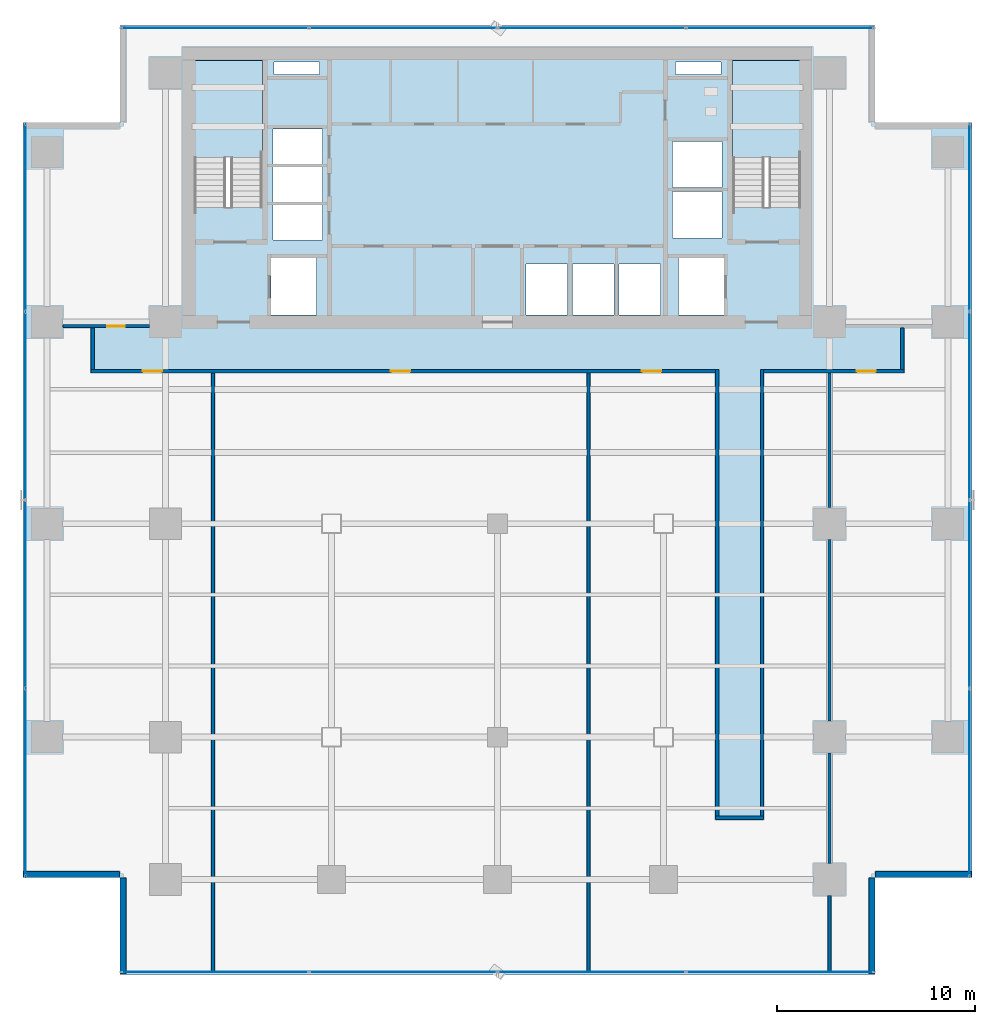
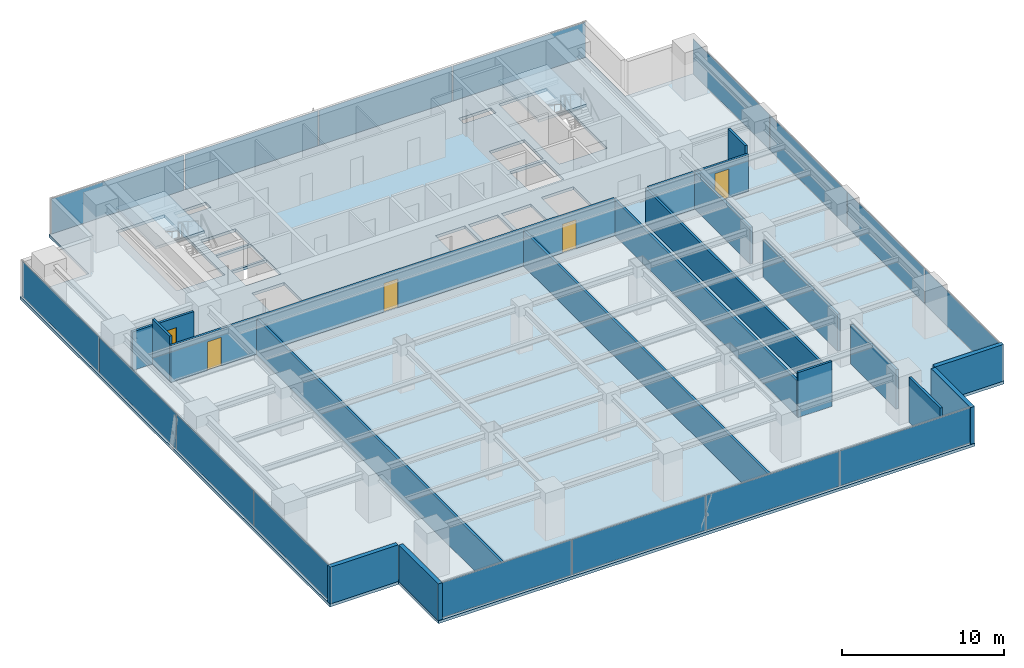
# One storey, part 20 of 27: 18 walls, 16 plates, 5 doors, 3 slabs, 5 openings, 6 elements without a shape of their own.
"""IFC4 building model written with IfcOpenShell, lengths in metres."""

import ifcopenshell
import ifcopenshell.guid

model = None  # the IFC model being written
_history = None  # IfcOwnerHistory: only IFC2X3 demands one
_inside = {}  # id of a spatial element -> (the spatial element, [elements in it])
_under = {}  # id of a project, library or spatial element -> (it, [spatial elements below it])
_declared = {}  # id of a project -> (the project, [libraries it declares])
_typed = {}  # id of a type object -> (the type object, [elements of that type])
_made_of = {}  # id of a material, layer set ... -> (it, [elements and type objects made of it])


def new_model(schema):
    """Start an empty IFC model of exactly this schema.

    Asked for "IFC4X3", IfcOpenShell would pick the latest addendum, in which some entities
    have other attributes; the version numbers below select the first issue.
    IFC2X3 requires an IfcOwnerHistory on every rooted entity: one is made here for all.
    """
    global model, _history
    if schema == "IFC4X3":
        model = ifcopenshell.file(schema_version=(4, 3, 0, 0))
    else:
        model = ifcopenshell.file(schema=schema)
    _inside.clear()
    _under.clear()
    _declared.clear()
    _typed.clear()
    _made_of.clear()
    _history = None
    if model.schema == "IFC2X3":
        org = make("IfcOrganization", Name="unknown")
        user = make(
            "IfcPersonAndOrganization",
            ThePerson=make("IfcPerson", FamilyName="unknown"),
            TheOrganization=org,
        )
        app = make(
            "IfcApplication",
            ApplicationDeveloper=org,
            Version="unknown",
            ApplicationFullName="unknown",
            ApplicationIdentifier="unknown",
        )
        _history = make(
            "IfcOwnerHistory",
            OwningUser=user,
            OwningApplication=app,
            ChangeAction="ADDED",
            CreationDate=0,
        )
    return model


def make(cls, **values):
    """One entity of the class cls with the attributes given. An attribute that is None is left unset."""
    return model.create_entity(
        cls, **{name: value for name, value in values.items() if value is not None}
    )


def rooted(cls, **values):
    """An entity with a GlobalId (a new one), such as an element, a storey or a relation."""
    return make(cls, GlobalId=ifcopenshell.guid.new(), OwnerHistory=_history, **values)


def si_unit(unit_type, name, prefix=None):
    """IfcSIUnit, for example si_unit("LENGTHUNIT", "METRE", prefix="MILLI")."""
    return make("IfcSIUnit", UnitType=unit_type, Prefix=prefix, Name=name)


def assignment(units):
    """IfcUnitAssignment: the units of a project."""
    return None if units is None else make("IfcUnitAssignment", Units=units)


def point(xyz):
    """IfcCartesianPoint."""
    return None if xyz is None else make("IfcCartesianPoint", Coordinates=xyz)


def direction(xyz):
    """IfcDirection."""
    return None if xyz is None else make("IfcDirection", DirectionRatios=xyz)


def frame(location, z_axis=None, x_axis=None):
    """IfcAxis2Placement3D, a coordinate frame: its origin and axes. An axis left out is left unset."""
    return make(
        "IfcAxis2Placement3D",
        Location=point(location),
        Axis=direction(z_axis),
        RefDirection=direction(x_axis),
    )


def frame_2d(location, x_axis=None):
    """IfcAxis2Placement2D, a coordinate frame in the plane: its origin and x axis."""
    return make(
        "IfcAxis2Placement2D", Location=point(location), RefDirection=direction(x_axis)
    )


def origin():
    """The frame at (0, 0, 0) with its axes left unset."""
    return frame((0.0, 0.0, 0.0))


def origin_2d():
    """The frame at (0, 0) in the plane with its x axis left unset."""
    return frame_2d((0.0, 0.0))


def place(relative_to, where):
    """IfcLocalPlacement: puts the frame where relative to a parent placement (None: the world)."""
    return make(
        "IfcLocalPlacement", PlacementRelTo=relative_to, RelativePlacement=where
    )


def context(
    kind, dimensions, precision=None, world=None, true_north=None, identifier=None
):
    """IfcGeometricRepresentationContext, for example the 3D "Model" context."""
    return make(
        "IfcGeometricRepresentationContext",
        ContextIdentifier=identifier,
        ContextType=kind,
        CoordinateSpaceDimension=dimensions,
        Precision=precision,
        WorldCoordinateSystem=world,
        TrueNorth=true_north,
    )


def subcontext(parent, identifier, kind, view, scale=None):
    """IfcGeometricRepresentationSubContext, for example "Body" below "Model"."""
    return make(
        "IfcGeometricRepresentationSubContext",
        ContextIdentifier=identifier,
        ContextType=kind,
        ParentContext=parent,
        TargetScale=scale,
        TargetView=view,
    )


def project(units=None, contexts=None):
    """IfcProject with its units and contexts."""
    return rooted(
        "IfcProject",
        Name="project",
        RepresentationContexts=contexts,
        UnitsInContext=assignment(units),
    )


def spatial(cls, under=None, at=None, **own):
    """A site, building, storey or space (cls), placed at a placement, below another one or the project."""
    s = rooted(cls, ObjectPlacement=at, **own)
    if under is not None:
        _under.setdefault(under.id(), (under, []))[1].append(s)
    return s


def polyline(points):
    """IfcPolyline through the points."""
    return make("IfcPolyline", Points=[point(p) for p in points])


def profile(cls, at=None, kind="AREA", **sizes):
    """A parametric profile (cls). Its sizes go by their IFC names, for example OverallWidth=200.0."""
    return make(cls, ProfileType=kind, Position=at, **sizes)


def rectangle(**sizes):
    """IfcRectangleProfileDef."""
    return profile("IfcRectangleProfileDef", **sizes)


def outline(outer, holes=None, kind="AREA"):
    """IfcArbitraryClosedProfileDef: a profile drawn as a closed curve; with holes, ...WithVoids."""
    if holes is None:
        return make("IfcArbitraryClosedProfileDef", ProfileType=kind, OuterCurve=outer)
    return make(
        "IfcArbitraryProfileDefWithVoids",
        ProfileType=kind,
        OuterCurve=outer,
        InnerCurves=holes,
    )


def extrude(swept, where, along, depth):
    """IfcExtrudedAreaSolid: the profile swept, set in the frame where, extruded along a direction by depth."""
    return make(
        "IfcExtrudedAreaSolid",
        SweptArea=swept,
        Position=where,
        ExtrudedDirection=direction(along),
        Depth=depth,
    )


def shape(context_of_items, identifier, shape_type, items):
    """IfcShapeRepresentation: the items that make up one representation, for example the "Body"."""
    return make(
        "IfcShapeRepresentation",
        ContextOfItems=context_of_items,
        RepresentationIdentifier=identifier,
        RepresentationType=shape_type,
        Items=items,
    )


def source(mapping_origin, context_of_items, identifier, shape_type, items):
    """IfcRepresentationMap: a shape defined once, which mapped items show again and again."""
    return make(
        "IfcRepresentationMap",
        MappingOrigin=mapping_origin,
        MappedRepresentation=shape(context_of_items, identifier, shape_type, items),
    )


def transform(
    local_origin,
    x_axis=None,
    y_axis=None,
    z_axis=None,
    scale=None,
    scale2=None,
    scale3=None,
    uniform=True,
):
    """IfcCartesianTransformationOperator3D, or its non-uniform kind. x_axis, y_axis, z_axis: its Axis1, 2, 3."""
    if uniform:
        return make(
            "IfcCartesianTransformationOperator3D",
            Axis1=direction(x_axis),
            Axis2=direction(y_axis),
            LocalOrigin=point(local_origin),
            Scale=scale,
            Axis3=direction(z_axis),
        )
    return make(
        "IfcCartesianTransformationOperator3DnonUniform",
        Axis1=direction(x_axis),
        Axis2=direction(y_axis),
        LocalOrigin=point(local_origin),
        Scale=scale,
        Axis3=direction(z_axis),
        Scale2=scale2,
        Scale3=scale3,
    )


def mapped(mapping_source, mapping_target):
    """IfcMappedItem: shows the shape of a source again, moved by a transform."""
    return make(
        "IfcMappedItem", MappingSource=mapping_source, MappingTarget=mapping_target
    )


def material(Name=None, Category=None):
    """IfcMaterial."""
    return make("IfcMaterial", Name=Name, Category=Category)


def layer(
    of_material, thickness, ventilated=None, Name=None, Category=None, Priority=None
):
    """IfcMaterialLayer: one layer of a wall or slab, of a material (None: an air gap)."""
    return make(
        "IfcMaterialLayer",
        Material=of_material,
        LayerThickness=thickness,
        IsVentilated=ventilated,
        Name=Name,
        Category=Category,
        Priority=Priority,
    )


def layer_set(layers, Name=None):
    """IfcMaterialLayerSet."""
    return make("IfcMaterialLayerSet", MaterialLayers=layers, LayerSetName=Name)


def made_of(thing, what):
    """Note that an element or type object is made of a material, layer set ...; save() writes the relation."""
    if what is not None:
        _made_of.setdefault(what.id(), (what, []))[1].append(thing)
    return thing


def type_object(cls, material=None, **own):
    """A type object (cls), such as IfcWallType, which elements share."""
    return made_of(rooted(cls, **own), material)


def element(
    cls,
    number,
    at=None,
    inside=None,
    cuts=None,
    type_object=None,
    material=None,
    context=None,
    identifier="Body",
    shape_type=None,
    held_by="IfcProductDefinitionShape",
    body=None,
    shapes=None,
    **own,
):
    """One element of the class cls, such as IfcWall. Its Tag is "e" and its number.

    at: its placement. inside: the storey or other place that contains it. cuts: it is an
    opening in that element (IfcRelVoidsElement). A single representation is given by context,
    identifier, shape_type and body (its items); several are given by shapes. held_by: the class
    of the entity that holds the representations. save() writes the other relations.
    """
    e = rooted(cls, Tag="e%d" % number, ObjectPlacement=at, **own)
    if body is not None:
        shapes = [shape(context, identifier, shape_type, body)]
    if shapes is not None:
        e.Representation = make(held_by, Representations=shapes)
    if inside is not None:
        _inside.setdefault(inside.id(), (inside, []))[1].append(e)
    if cuts is not None:
        rooted(
            "IfcRelVoidsElement", RelatingBuildingElement=cuts, RelatedOpeningElement=e
        )
    if type_object is not None:
        _typed.setdefault(type_object.id(), (type_object, []))[1].append(e)
    return made_of(e, material)


def fill(opening, filler):
    """IfcRelFillsElement: the door or window that sits in an opening."""
    return rooted(
        "IfcRelFillsElement",
        RelatingOpeningElement=opening,
        RelatedBuildingElement=filler,
    )


def aggregate(whole, parts):
    """IfcRelAggregates: a whole, such as a stair, and the parts it consists of."""
    return rooted("IfcRelAggregates", RelatingObject=whole, RelatedObjects=parts)


def save(model, path):
    """Write the relations noted so far, then the file.

    IfcRelAggregates (storeys below a building ...), IfcRelContainedInSpatialStructure (elements
    in a storey), IfcRelDefinesByType, IfcRelAssociatesMaterial and IfcRelDeclares: one each for
    every whole, place, type object, material and project.
    """
    for whole, parts in _under.values():
        aggregate(whole, parts)
    for where, things in _inside.values():
        rooted(
            "IfcRelContainedInSpatialStructure",
            RelatedElements=things,
            RelatingStructure=where,
        )
    for kind, things in _typed.values():
        rooted("IfcRelDefinesByType", RelatedObjects=things, RelatingType=kind)
    for what, things in _made_of.values():
        rooted("IfcRelAssociatesMaterial", RelatedObjects=things, RelatingMaterial=what)
    for by, libraries in _declared.values():
        rooted("IfcRelDeclares", RelatingContext=by, RelatedDefinitions=libraries)
    model.write(path)


model = new_model("IFC4")

# Units and contexts
model_context = context("Model", 3, precision=1e-05, world=origin(), true_north=direction((0.0, 1.0)))
body_context = subcontext(model_context, "Body", "Model", "MODEL_VIEW")
ifc_project = project(units=[si_unit("LENGTHUNIT", "METRE"), si_unit("AREAUNIT", "SQUARE_METRE"), si_unit("VOLUMEUNIT", "CUBIC_METRE"), si_unit("PLANEANGLEUNIT", "RADIAN"), si_unit("MASSUNIT", "GRAM", prefix="KILO")], contexts=[model_context])

# Site, building, storey
site_placement = place(None, origin())
site = spatial("IfcSite", under=ifc_project, at=site_placement, CompositionType="ELEMENT")
building_placement = place(site_placement, origin())
building = spatial("IfcBuilding", under=site, at=building_placement, Name="Sumidabori Civic Tower", CompositionType="ELEMENT")
storey_placement = place(building_placement, frame((0.0, 0.0, 164.0)))
storey = spatial("IfcBuildingStorey", under=building, at=storey_placement, Name="L42", CompositionType="ELEMENT", Elevation=164.0)

# Stair, slab
ifc_material_1 = material(Name="Concrete C40/50", Category="concrete")
stair_type = type_object("IfcStairType", Name="ST-CORE-1600", PredefinedType="HALF_TURN_STAIR", material=ifc_material_1)
stair_1_placement = place(storey_placement, origin())
stair_1 = element("IfcStair", 1, at=stair_1_placement, inside=storey, type_object=stair_type, Name="L42 ST-1", PredefinedType="HALF_TURN_STAIR")
ifc_layer_1 = layer(ifc_material_1, 0.199951171875, Name="Concrete C40/50")
ifc_layer_set_1 = layer_set([ifc_layer_1], Name="Concrete C40/50")
slab_type_1 = type_object("IfcSlabType", Name="SL-LAND-200", PredefinedType="LANDING", material=ifc_layer_set_1)
slab_1_placement = place(storey_placement, frame((0.0, 0.0, 1.60009765625)))
slab_1 = element("IfcSlab", 2, at=slab_1_placement, type_object=slab_type_1, Name="ST-1 landing 1", PredefinedType="LANDING", context=body_context, shape_type="SweptSolid", body=[
    extrude(outline(polyline([(-11.89990234375, 18.52001953125), (-11.89990234375, 23.449951171875), (-15.340087890625, 23.449951171875), (-15.340087890625, 18.52001953125), (-11.89990234375, 18.52001953125)])), origin(), (0.0, 0.0, 1.0), 0.199951171875),
])
aggregate(stair_1, [slab_1])

stair_2_placement = place(storey_placement, origin())
stair_2 = element("IfcStair", 3, at=stair_2_placement, inside=storey, type_object=stair_type, Name="L42 ST-2", PredefinedType="HALF_TURN_STAIR")
slab_2_placement = place(storey_placement, frame((0.0, 0.0, 1.60009765625)))
slab_2 = element("IfcSlab", 4, at=slab_2_placement, type_object=slab_type_1, Name="ST-2 landing 1", PredefinedType="LANDING", context=body_context, shape_type="SweptSolid", body=[
    extrude(outline(polyline([(15.340087890625, 18.52001953125), (15.340087890625, 23.449951171875), (11.89990234375, 23.449951171875), (11.89990234375, 18.52001953125), (15.340087890625, 18.52001953125)])), origin(), (0.0, 0.0, 1.0), 0.199951171875),
])
aggregate(stair_2, [slab_2])

# Slab
ifc_layer_2 = layer(ifc_material_1, 0.219970703125, Name="Concrete C40/50")
ifc_layer_set_2 = layer_set([ifc_layer_2], Name="Concrete C40/50")
slab_type_2 = type_object("IfcSlabType", Name="SL-Z3-220", PredefinedType="FLOOR", material=ifc_layer_set_2)
slab_3_placement = place(storey_placement, frame((0.0, 0.0, -0.219970703125)))
element("IfcSlab", 5, at=slab_3_placement, inside=storey, type_object=slab_type_2, Name="Structural Slab L42", PredefinedType="FLOOR", context=body_context, shape_type="SweptSolid", body=[
    extrude(outline(polyline([(-19.10009765625, -22.800048828125), (19.10009765625, -22.800048828125), (19.10009765625, -17.89990234375), (24.0, -17.89990234375), (24.0, 20.300048828125), (19.10009765625, 20.300048828125), (19.10009765625, 25.199951171875), (-19.10009765625, 25.199951171875), (-19.10009765625, 20.300048828125), (-24.0, 20.300048828125), (-24.0, -17.89990234375), (-19.10009765625, -17.89990234375), (-19.10009765625, -22.800048828125)]), holes=[polyline([(-11.89990234375, 16.0), (-11.89990234375, 23.449951171875), (-15.340087890625, 23.449951171875), (-15.340087890625, 16.0), (-11.89990234375, 16.0)]), polyline([(15.340087890625, 16.0), (15.340087890625, 23.449951171875), (11.89990234375, 23.449951171875), (11.89990234375, 16.0), (15.340087890625, 16.0)]), polyline([(-11.449951171875, 10.550048828125), (-9.14990234375, 10.550048828125), (-9.14990234375, 13.449951171875), (-11.449951171875, 13.449951171875), (-11.449951171875, 10.550048828125)]), polyline([(9.14990234375, 10.550048828125), (11.449951171875, 10.550048828125), (11.449951171875, 13.449951171875), (9.14990234375, 13.449951171875), (9.14990234375, 10.550048828125)]), polyline([(1.449951171875, 10.550048828125), (3.550048828125, 10.550048828125), (3.550048828125, 13.14990234375), (1.449951171875, 13.14990234375), (1.449951171875, 10.550048828125)]), polyline([(3.800048828125, 10.550048828125), (5.89990234375, 10.550048828125), (5.89990234375, 13.14990234375), (3.800048828125, 13.14990234375), (3.800048828125, 10.550048828125)]), polyline([(6.14990234375, 10.550048828125), (8.25, 10.550048828125), (8.25, 13.14990234375), (6.14990234375, 13.14990234375), (6.14990234375, 10.550048828125)]), polyline([(-11.35009765625, 14.35009765625), (-8.85009765625, 14.35009765625), (-8.85009765625, 16.1201171875), (-11.35009765625, 16.1201171875), (-11.35009765625, 14.35009765625)]), polyline([(-11.35009765625, 16.27001953125), (-8.85009765625, 16.27001953125), (-8.85009765625, 18.0400390625), (-11.35009765625, 18.0400390625), (-11.35009765625, 16.27001953125)]), polyline([(-11.35009765625, 18.18994140625), (-8.85009765625, 18.18994140625), (-8.85009765625, 19.9599609375), (-11.35009765625, 19.9599609375), (-11.35009765625, 18.18994140625)]), polyline([(8.85009765625, 14.449951171875), (11.35009765625, 14.449951171875), (11.35009765625, 16.800048828125), (8.85009765625, 16.800048828125), (8.85009765625, 14.449951171875)]), polyline([(8.85009765625, 17.0), (11.35009765625, 17.0), (11.35009765625, 19.35009765625), (8.85009765625, 19.35009765625), (8.85009765625, 17.0)]), polyline([(-11.300048828125, 22.719970703125), (-9.0, 22.719970703125), (-9.0, 23.35009765625), (-11.300048828125, 23.35009765625), (-11.300048828125, 22.719970703125)]), polyline([(9.0, 22.719970703125), (11.300048828125, 22.719970703125), (11.300048828125, 23.35009765625), (9.0, 23.35009765625), (9.0, 22.719970703125)])]), origin(), (0.0, 0.0, 1.0), 0.219970703125),
])

# Curtain wall, plates
ifc_material_2 = material(Name="Anodised Bronze Aluminium AW-6063-T6", Category="aluminium")
ifc_layer_3 = layer(ifc_material_2, 0.179931640625, Name="Anodised Bronze Aluminium AW-6063-T6")
ifc_layer_set_3 = layer_set([ifc_layer_3], Name="Anodised Bronze Aluminium AW-6063-T6")
curtain_wall_type = type_object("IfcCurtainWallType", Name="CW-SYS-3", PredefinedType="NOTDEFINED", material=ifc_layer_set_3)
curtain_wall_1_placement = place(storey_placement, origin())
curtain_wall_1 = element("IfcCurtainWall", 6, at=curtain_wall_1_placement, inside=storey, type_object=curtain_wall_type, Name="Curtain Wall CW:L42:R01", PredefinedType="NOTDEFINED")
ifc_material_3 = material(Name="Low-E Solar-Control Vision Glazing", Category="glass")
ifc_layer_4 = layer(ifc_material_3, 0.028076171875, Name="Low-E Solar-Control Vision Glazing")
ifc_layer_set_4 = layer_set([ifc_layer_4], Name="Low-E Solar-Control Vision Glazing")
plate_type = type_object("IfcPlateType", Name="CW-PNL-28", PredefinedType="CURTAIN_PANEL", material=ifc_layer_set_4)
shared_shape_1 = source(origin(), body_context, "Body", "SweptSolid", [
    extrude(rectangle(XDim=9.4375, YDim=0.028076171875, at=origin_2d()), origin(), (0.0, 0.0, 1.0), 2.639892578125),
])
plate_1_placement = place(storey_placement, frame((-14.2861328125, -22.679931640625, 0.06005859375), z_axis=(0.0, 0.0, 1.0), x_axis=(1.0, 0.0, 0.0)))
plate_1 = element("IfcPlate", 7, at=plate_1_placement, type_object=plate_type, Name="CW-3 panel 1.1", PredefinedType="CURTAIN_PANEL", context=body_context, shape_type="MappedRepresentation", body=[
    mapped(shared_shape_1, transform((0.0, 0.0, 0.0), x_axis=(1.0, 0.0, 0.0), y_axis=(0.0, 1.0, 0.0), z_axis=(0.0, 0.0, 1.0), scale=1.0)),
])
plate_2_placement = place(storey_placement, frame((14.2861328125, -22.679931640625, 0.06005859375), z_axis=(0.0, 0.0, 1.0), x_axis=(1.0, 0.0, 0.0)))
plate_2 = element("IfcPlate", 8, at=plate_2_placement, type_object=plate_type, Name="CW-3 panel 4.1", PredefinedType="CURTAIN_PANEL", context=body_context, shape_type="MappedRepresentation", body=[
    mapped(shared_shape_1, transform((0.0, 0.0, 0.0), x_axis=(1.0, 0.0, 0.0), y_axis=(0.0, 1.0, 0.0), z_axis=(0.0, 0.0, 1.0), scale=1.0)),
])

curtain_wall_2_placement = place(storey_placement, origin())
curtain_wall_2 = element("IfcCurtainWall", 9, at=curtain_wall_2_placement, inside=storey, type_object=curtain_wall_type, Name="Curtain Wall CW:L42:R04", PredefinedType="NOTDEFINED")
plate_3_placement = place(storey_placement, frame((23.8798828125, -13.086181640625, 0.06005859375), z_axis=(0.0, 0.0, 1.0), x_axis=(0.0, 1.0, 0.0)))
plate_3 = element("IfcPlate", 10, at=plate_3_placement, type_object=plate_type, Name="CW-3 panel 1.1", PredefinedType="CURTAIN_PANEL", context=body_context, shape_type="MappedRepresentation", body=[
    mapped(shared_shape_1, transform((0.0, 0.0, 0.0), x_axis=(1.0, 0.0, 0.0), y_axis=(0.0, 1.0, 0.0), z_axis=(0.0, 0.0, 1.0), scale=1.0)),
])
plate_4_placement = place(storey_placement, frame((23.8798828125, 15.486328125, 0.06005859375), z_axis=(0.0, 0.0, 1.0), x_axis=(0.0, 1.0, 0.0)))
plate_4 = element("IfcPlate", 11, at=plate_4_placement, type_object=plate_type, Name="CW-3 panel 4.1", PredefinedType="CURTAIN_PANEL", context=body_context, shape_type="MappedRepresentation", body=[
    mapped(shared_shape_1, transform((0.0, 0.0, 0.0), x_axis=(1.0, 0.0, 0.0), y_axis=(0.0, 1.0, 0.0), z_axis=(0.0, 0.0, 1.0), scale=1.0)),
])

curtain_wall_3_placement = place(storey_placement, origin())
curtain_wall_3 = element("IfcCurtainWall", 12, at=curtain_wall_3_placement, inside=storey, type_object=curtain_wall_type, Name="Curtain Wall CW:L42:R07", PredefinedType="NOTDEFINED")
plate_5_placement = place(storey_placement, frame((14.2861328125, 25.080078125, 0.06005859375), z_axis=(0.0, 0.0, 1.0), x_axis=(-1.0, 0.0, 0.0)))
plate_5 = element("IfcPlate", 13, at=plate_5_placement, type_object=plate_type, Name="CW-3 panel 1.1", PredefinedType="CURTAIN_PANEL", context=body_context, shape_type="MappedRepresentation", body=[
    mapped(shared_shape_1, transform((0.0, 0.0, 0.0), x_axis=(1.0, 0.0, 0.0), y_axis=(0.0, 1.0, 0.0), z_axis=(0.0, 0.0, 1.0), scale=1.0)),
])
plate_6_placement = place(storey_placement, frame((-14.2861328125, 25.080078125, 0.06005859375), z_axis=(0.0, 0.0, 1.0), x_axis=(-1.0, 0.0, 0.0)))
plate_6 = element("IfcPlate", 14, at=plate_6_placement, type_object=plate_type, Name="CW-3 panel 4.1", PredefinedType="CURTAIN_PANEL", context=body_context, shape_type="MappedRepresentation", body=[
    mapped(shared_shape_1, transform((0.0, 0.0, 0.0), x_axis=(1.0, 0.0, 0.0), y_axis=(0.0, 1.0, 0.0), z_axis=(0.0, 0.0, 1.0), scale=1.0)),
])

curtain_wall_4_placement = place(storey_placement, origin())
curtain_wall_4 = element("IfcCurtainWall", 15, at=curtain_wall_4_placement, inside=storey, type_object=curtain_wall_type, Name="Curtain Wall CW:L42:R10", PredefinedType="NOTDEFINED")
plate_7_placement = place(storey_placement, frame((-23.8798828125, 15.486328125, 0.06005859375), z_axis=(0.0, 0.0, 1.0), x_axis=(0.0, -1.0, 0.0)))
plate_7 = element("IfcPlate", 16, at=plate_7_placement, type_object=plate_type, Name="CW-3 panel 1.1", PredefinedType="CURTAIN_PANEL", context=body_context, shape_type="MappedRepresentation", body=[
    mapped(shared_shape_1, transform((0.0, 0.0, 0.0), x_axis=(1.0, 0.0, 0.0), y_axis=(0.0, 1.0, 0.0), z_axis=(0.0, 0.0, 1.0), scale=1.0)),
])
plate_8_placement = place(storey_placement, frame((-23.8798828125, -13.086181640625, 0.06005859375), z_axis=(0.0, 0.0, 1.0), x_axis=(0.0, -1.0, 0.0)))
plate_8 = element("IfcPlate", 17, at=plate_8_placement, type_object=plate_type, Name="CW-3 panel 4.1", PredefinedType="CURTAIN_PANEL", context=body_context, shape_type="MappedRepresentation", body=[
    mapped(shared_shape_1, transform((0.0, 0.0, 0.0), x_axis=(1.0, 0.0, 0.0), y_axis=(0.0, 1.0, 0.0), z_axis=(0.0, 0.0, 1.0), scale=1.0)),
])

# Plate
shared_shape_2 = source(origin(), body_context, "Body", "SweptSolid", [
    extrude(rectangle(XDim=9.469970703125, YDim=0.028076171875, at=origin_2d()), origin(), (0.0, 0.0, 1.0), 2.639892578125),
])
plate_9_placement = place(storey_placement, frame((-4.767578125, -22.679931640625, 0.06005859375), z_axis=(0.0, 0.0, 1.0), x_axis=(1.0, 0.0, 0.0)))
plate_9 = element("IfcPlate", 18, at=plate_9_placement, type_object=plate_type, Name="CW-3 panel 2.1", PredefinedType="CURTAIN_PANEL", context=body_context, shape_type="MappedRepresentation", body=[
    mapped(shared_shape_2, transform((0.0, 0.0, 0.0), x_axis=(1.0, 0.0, 0.0), y_axis=(0.0, 1.0, 0.0), z_axis=(0.0, 0.0, 1.0), scale=1.0)),
])

plate_10_placement = place(storey_placement, frame((4.767578125, -22.679931640625, 0.06005859375), z_axis=(0.0, 0.0, 1.0), x_axis=(1.0, 0.0, 0.0)))
plate_10 = element("IfcPlate", 19, at=plate_10_placement, type_object=plate_type, Name="CW-3 panel 3.1", PredefinedType="CURTAIN_PANEL", context=body_context, shape_type="MappedRepresentation", body=[
    mapped(shared_shape_2, transform((0.0, 0.0, 0.0), x_axis=(1.0, 0.0, 0.0), y_axis=(0.0, 1.0, 0.0), z_axis=(0.0, 0.0, 1.0), scale=1.0)),
])

aggregate(curtain_wall_1, [plate_1, plate_9, plate_10, plate_2])

plate_11_placement = place(storey_placement, frame((23.8798828125, -3.5673828125, 0.06005859375), z_axis=(0.0, 0.0, 1.0), x_axis=(0.0, 1.0, 0.0)))
plate_11 = element("IfcPlate", 20, at=plate_11_placement, type_object=plate_type, Name="CW-3 panel 2.1", PredefinedType="CURTAIN_PANEL", context=body_context, shape_type="MappedRepresentation", body=[
    mapped(shared_shape_2, transform((0.0, 0.0, 0.0), x_axis=(1.0, 0.0, 0.0), y_axis=(0.0, 1.0, 0.0), z_axis=(0.0, 0.0, 1.0), scale=1.0)),
])

plate_12_placement = place(storey_placement, frame((23.8798828125, 5.967529296875, 0.06005859375), z_axis=(0.0, 0.0, 1.0), x_axis=(0.0, 1.0, 0.0)))
plate_12 = element("IfcPlate", 21, at=plate_12_placement, type_object=plate_type, Name="CW-3 panel 3.1", PredefinedType="CURTAIN_PANEL", context=body_context, shape_type="MappedRepresentation", body=[
    mapped(shared_shape_2, transform((0.0, 0.0, 0.0), x_axis=(1.0, 0.0, 0.0), y_axis=(0.0, 1.0, 0.0), z_axis=(0.0, 0.0, 1.0), scale=1.0)),
])

aggregate(curtain_wall_2, [plate_3, plate_11, plate_12, plate_4])

plate_13_placement = place(storey_placement, frame((4.767578125, 25.080078125, 0.06005859375), z_axis=(0.0, 0.0, 1.0), x_axis=(-1.0, 0.0, 0.0)))
plate_13 = element("IfcPlate", 22, at=plate_13_placement, type_object=plate_type, Name="CW-3 panel 2.1", PredefinedType="CURTAIN_PANEL", context=body_context, shape_type="MappedRepresentation", body=[
    mapped(shared_shape_2, transform((0.0, 0.0, 0.0), x_axis=(1.0, 0.0, 0.0), y_axis=(0.0, 1.0, 0.0), z_axis=(0.0, 0.0, 1.0), scale=1.0)),
])

plate_14_placement = place(storey_placement, frame((-4.767578125, 25.080078125, 0.06005859375), z_axis=(0.0, 0.0, 1.0), x_axis=(-1.0, 0.0, 0.0)))
plate_14 = element("IfcPlate", 23, at=plate_14_placement, type_object=plate_type, Name="CW-3 panel 3.1", PredefinedType="CURTAIN_PANEL", context=body_context, shape_type="MappedRepresentation", body=[
    mapped(shared_shape_2, transform((0.0, 0.0, 0.0), x_axis=(1.0, 0.0, 0.0), y_axis=(0.0, 1.0, 0.0), z_axis=(0.0, 0.0, 1.0), scale=1.0)),
])

aggregate(curtain_wall_3, [plate_5, plate_13, plate_14, plate_6])

plate_15_placement = place(storey_placement, frame((-23.8798828125, 5.967529296875, 0.06005859375), z_axis=(0.0, 0.0, 1.0), x_axis=(0.0, -1.0, 0.0)))
plate_15 = element("IfcPlate", 24, at=plate_15_placement, type_object=plate_type, Name="CW-3 panel 2.1", PredefinedType="CURTAIN_PANEL", context=body_context, shape_type="MappedRepresentation", body=[
    mapped(shared_shape_2, transform((0.0, 0.0, 0.0), x_axis=(1.0, 0.0, 0.0), y_axis=(0.0, 1.0, 0.0), z_axis=(0.0, 0.0, 1.0), scale=1.0)),
])

plate_16_placement = place(storey_placement, frame((-23.8798828125, -3.5673828125, 0.06005859375), z_axis=(0.0, 0.0, 1.0), x_axis=(0.0, -1.0, 0.0)))
plate_16 = element("IfcPlate", 25, at=plate_16_placement, type_object=plate_type, Name="CW-3 panel 3.1", PredefinedType="CURTAIN_PANEL", context=body_context, shape_type="MappedRepresentation", body=[
    mapped(shared_shape_2, transform((0.0, 0.0, 0.0), x_axis=(1.0, 0.0, 0.0), y_axis=(0.0, 1.0, 0.0), z_axis=(0.0, 0.0, 1.0), scale=1.0)),
])

aggregate(curtain_wall_4, [plate_7, plate_15, plate_16, plate_8])

# Walls
ifc_material_4 = material(Name="Precast concrete C40/50", Category="concrete")
ifc_layer_5 = layer(ifc_material_4, 0.300048828125, Name="Precast concrete C40/50")
ifc_layer_set_5 = layer_set([ifc_layer_5], Name="Precast concrete C40/50")
wall_type_1 = type_object("IfcWallType", Name="WL-EXT-POD300", PredefinedType="STANDARD", material=ifc_layer_set_5)
shared_shape_3 = source(origin(), body_context, "Body", "SweptSolid", [
    extrude(rectangle(XDim=4.860107421875, YDim=0.300048828125, at=frame_2d((2.43017578125, 0.0))), origin(), (0.0, 0.0, 1.0), 2.760009765625),
])
for number, where, z_axis, x_axis, name in (
    (26, (18.949951171875, -22.780029296875, 0.0), (0.0, 0.0, 1.0), (0.0, 1.0, 0.0), "Notched Corner Spandrel Band L42-02"),
    (27, (-18.949951171875, -17.919921875, 0.0), (0.0, 0.0, 1.0), (0.0, -1.0, 0.0), "Notched Corner Spandrel Band L42-12"),
):
    element("IfcWall", number, at=place(storey_placement, frame(where, z_axis=z_axis, x_axis=x_axis)), inside=storey, type_object=wall_type_1, Name=name, PredefinedType="STANDARD", context=body_context, shape_type="MappedRepresentation", body=[
        mapped(shared_shape_3, transform((0.0, 0.0, 0.0), x_axis=(1.0, 0.0, 0.0), y_axis=(0.0, 1.0, 0.0), z_axis=(0.0, 0.0, 1.0), scale=1.0)),
    ])
shared_shape_4 = source(origin(), body_context, "Body", "SweptSolid", [
    extrude(rectangle(XDim=4.85986328125, YDim=0.300048828125, at=frame_2d((2.429931640625, 0.0))), origin(), (0.0, 0.0, 1.0), 2.760009765625),
])
for number, where, z_axis, x_axis, name in (
    (28, (19.1201171875, -17.75, 0.0), (0.0, 0.0, 1.0), (1.0, 0.0, 0.0), "Notched Corner Spandrel Band L42-03"),
    (29, (-23.97998046875, -17.75, 0.0), (0.0, 0.0, 1.0), (1.0, 0.0, 0.0), "Notched Corner Spandrel Band L42-11"),
):
    element("IfcWall", number, at=place(storey_placement, frame(where, z_axis=z_axis, x_axis=x_axis)), inside=storey, type_object=wall_type_1, Name=name, PredefinedType="STANDARD", context=body_context, shape_type="MappedRepresentation", body=[
        mapped(shared_shape_4, transform((0.0, 0.0, 0.0), x_axis=(1.0, 0.0, 0.0), y_axis=(0.0, 1.0, 0.0), z_axis=(0.0, 0.0, 1.0), scale=1.0)),
    ])

# Wall, opening, door
ifc_material_5 = material(Name="Gypsum Plasterboard Acoustic Partition")
ifc_layer_6 = layer(ifc_material_5, 0.1650390625, Name="Gypsum Plasterboard Acoustic Partition")
ifc_layer_set_6 = layer_set([ifc_layer_6], Name="Gypsum Plasterboard Acoustic Partition")
wall_type_2 = type_object("IfcWallType", Name="WL-PART-165", PredefinedType="PARTITIONING", material=ifc_layer_set_6)
shared_shape_5 = source(origin(), body_context, "Body", "SweptSolid", [
    extrude(rectangle(XDim=4.3798828125, YDim=0.1650390625, at=frame_2d((2.18994140625, 0.0))), origin(), (0.0, 0.0, 1.0), 2.9150390625),
])
wall_1_placement = place(storey_placement, frame((-21.989990234375, 10.0, 0.0), z_axis=(0.0, 0.0, 1.0), x_axis=(1.0, 0.0, 0.0)))
wall_1 = element("IfcWall", 30, at=wall_1_placement, inside=storey, type_object=wall_type_2, Name="Interior Partition WL:L42:FLK-NW", PredefinedType="PARTITIONING", context=body_context, shape_type="MappedRepresentation", body=[
    mapped(shared_shape_5, transform((0.0, 0.0, 0.0), x_axis=(1.0, 0.0, 0.0), y_axis=(0.0, 1.0, 0.0), z_axis=(0.0, 0.0, 1.0), scale=1.0)),
])
opening_1_placement = place(wall_1_placement, frame((2.235107421875, 0.0, 0.0)))
opening_1 = element("IfcOpeningElement", 31, at=opening_1_placement, cuts=wall_1, Name="Opening DR-1", PredefinedType="OPENING", context=body_context, shape_type="SweptSolid", body=[
    extrude(rectangle(XDim=0.89990234375, YDim=2.14990234375, at=frame_2d((0.449951171875, 1.074951171875))), frame((0.0, 0.094482421875, 0.0), z_axis=(0.0, -1.0, 0.0), x_axis=(1.0, 0.0, 0.0)), (0.0, 0.0, 1.0), 0.18896484375),
])
ifc_material_6 = material(Name="Japanese Hinoki Timber", Category="wood")
door_type_1 = type_object("IfcDoorType", Name="DR-INT-900", OperationType="NOTDEFINED", PredefinedType="DOOR", material=ifc_material_6)
shared_shape_6 = source(origin(), body_context, "Body", "SweptSolid", [
    extrude(rectangle(XDim=0.89990234375, YDim=2.14990234375, at=frame_2d((0.449951171875, 1.074951171875))), frame((0.0, 0.02490234375, 0.0), z_axis=(0.0, -1.0, 0.0), x_axis=(1.0, 0.0, 0.0)), (0.0, 0.0, 1.0), 0.050048828125),
])
door_1_placement = place(opening_1_placement, origin())
door_1 = element("IfcDoor", 32, at=door_1_placement, inside=storey, type_object=door_type_1, Name="Door DR:L42:FLK-NE", OperationType="SINGLE_SWING_LEFT", OverallHeight=2.14990234375, OverallWidth=0.89990234375, PredefinedType="DOOR", context=body_context, shape_type="MappedRepresentation", body=[
    mapped(shared_shape_6, transform((0.0, 0.0, 0.0), x_axis=(1.0, 0.0, 0.0), y_axis=(0.0, 1.0, 0.0), z_axis=(0.0, 0.0, 1.0), scale=1.0)),
])
fill(opening_1, door_1)

# Wall, openings, doors
shared_shape_7 = source(origin(), body_context, "Body", "SweptSolid", [
    extrude(rectangle(XDim=31.599853515625, YDim=0.1650390625, at=frame_2d((15.7998046875, 0.0))), origin(), (0.0, 0.0, 1.0), 2.764892578125),
])
wall_2_placement = place(storey_placement, frame((-20.56494140625, 7.717529296875, 0.0), z_axis=(0.0, 0.0, 1.0), x_axis=(1.0, 0.0, 0.0)))
wall_2 = element("IfcWall", 33, at=wall_2_placement, inside=storey, type_object=wall_type_2, Name="Interior Partition WL:L42:CORR-SW", PredefinedType="PARTITIONING", context=body_context, shape_type="MappedRepresentation", body=[
    mapped(shared_shape_7, transform((0.0, 0.0, 0.0), x_axis=(1.0, 0.0, 0.0), y_axis=(0.0, 1.0, 0.0), z_axis=(0.0, 0.0, 1.0), scale=1.0)),
])
opening_2_placement = place(wall_2_placement, frame((2.61376953125, 0.0, 0.0)))
opening_2 = element("IfcOpeningElement", 34, at=opening_2_placement, cuts=wall_2, Name="Opening DR-3", PredefinedType="OPENING", context=body_context, shape_type="SweptSolid", body=[
    extrude(rectangle(XDim=0.97998046875, YDim=2.14990234375, at=frame_2d((0.489990234375, 1.074951171875))), frame((0.0, 0.094482421875, 0.0), z_axis=(0.0, -1.0, 0.0), x_axis=(1.0, 0.0, 0.0)), (0.0, 0.0, 1.0), 0.18896484375),
])
opening_3_placement = place(wall_2_placement, frame((15.175048828125, 0.0, 0.0)))
opening_3 = element("IfcOpeningElement", 35, at=opening_3_placement, cuts=wall_2, Name="Opening DR-3", PredefinedType="OPENING", context=body_context, shape_type="SweptSolid", body=[
    extrude(rectangle(XDim=0.97998046875, YDim=2.14990234375, at=frame_2d((0.489990234375, 1.074951171875))), frame((0.0, 0.094482421875, 0.0), z_axis=(0.0, -1.0, 0.0), x_axis=(1.0, 0.0, 0.0)), (0.0, 0.0, 1.0), 0.18896484375),
])
opening_4_placement = place(wall_2_placement, frame((27.873779296875, 0.0, 0.0)))
opening_4 = element("IfcOpeningElement", 36, at=opening_4_placement, cuts=wall_2, Name="Opening DR-3", PredefinedType="OPENING", context=body_context, shape_type="SweptSolid", body=[
    extrude(rectangle(XDim=0.97998046875, YDim=2.14990234375, at=frame_2d((0.489990234375, 1.074951171875))), frame((0.0, 0.094482421875, 0.0), z_axis=(0.0, -1.0, 0.0), x_axis=(1.0, 0.0, 0.0)), (0.0, 0.0, 1.0), 0.18896484375),
])
door_type_2 = type_object("IfcDoorType", Name="DR-INT-980", OperationType="NOTDEFINED", PredefinedType="DOOR", material=ifc_material_6)
shared_shape_8 = source(origin(), body_context, "Body", "SweptSolid", [
    extrude(rectangle(XDim=0.97998046875, YDim=2.14990234375, at=frame_2d((0.489990234375, 1.074951171875))), frame((0.0, 0.02490234375, 0.0), z_axis=(0.0, -1.0, 0.0), x_axis=(1.0, 0.0, 0.0)), (0.0, 0.0, 1.0), 0.050048828125),
])
door_2_placement = place(opening_2_placement, origin())
door_2 = element("IfcDoor", 37, at=door_2_placement, inside=storey, type_object=door_type_2, Name="Door DR:L42:D03", OperationType="SINGLE_SWING_LEFT", OverallHeight=2.14990234375, OverallWidth=0.97998046875, PredefinedType="DOOR", context=body_context, shape_type="MappedRepresentation", body=[
    mapped(shared_shape_8, transform((0.0, 0.0, 0.0), x_axis=(1.0, 0.0, 0.0), y_axis=(0.0, 1.0, 0.0), z_axis=(0.0, 0.0, 1.0), scale=1.0)),
])
fill(opening_2, door_2)
door_3_placement = place(opening_3_placement, origin())
door_3 = element("IfcDoor", 38, at=door_3_placement, inside=storey, type_object=door_type_2, Name="Door DR:L42:D04", OperationType="SINGLE_SWING_RIGHT", OverallHeight=2.14990234375, OverallWidth=0.97998046875, PredefinedType="DOOR", context=body_context, shape_type="MappedRepresentation", body=[
    mapped(shared_shape_8, transform((0.0, 0.0, 0.0), x_axis=(1.0, 0.0, 0.0), y_axis=(0.0, 1.0, 0.0), z_axis=(0.0, 0.0, 1.0), scale=1.0)),
])
fill(opening_3, door_3)
door_4_placement = place(opening_4_placement, origin())
door_4 = element("IfcDoor", 39, at=door_4_placement, inside=storey, type_object=door_type_2, Name="Door DR:L42:D05", OperationType="SINGLE_SWING_LEFT", OverallHeight=2.14990234375, OverallWidth=0.97998046875, PredefinedType="DOOR", context=body_context, shape_type="MappedRepresentation", body=[
    mapped(shared_shape_8, transform((0.0, 0.0, 0.0), x_axis=(1.0, 0.0, 0.0), y_axis=(0.0, 1.0, 0.0), z_axis=(0.0, 0.0, 1.0), scale=1.0)),
])
fill(opening_4, door_4)

# Wall, opening, door
shared_shape_9 = source(origin(), body_context, "Body", "SweptSolid", [
    extrude(rectangle(XDim=7.099853515625, YDim=0.1650390625, at=frame_2d((3.5498046875, 0.0))), origin(), (0.0, 0.0, 1.0), 2.764892578125),
])
wall_3_placement = place(storey_placement, frame((13.465087890625, 7.717529296875, 0.0), z_axis=(0.0, 0.0, 1.0), x_axis=(1.0, 0.0, 0.0)))
wall_3 = element("IfcWall", 40, at=wall_3_placement, inside=storey, type_object=wall_type_2, Name="Interior Partition WL:L42:CORR-SE", PredefinedType="PARTITIONING", context=body_context, shape_type="MappedRepresentation", body=[
    mapped(shared_shape_9, transform((0.0, 0.0, 0.0), x_axis=(1.0, 0.0, 0.0), y_axis=(0.0, 1.0, 0.0), z_axis=(0.0, 0.0, 1.0), scale=1.0)),
])
opening_5_placement = place(wall_3_placement, frame((4.706298828125, 0.0, 0.0)))
opening_5 = element("IfcOpeningElement", 41, at=opening_5_placement, cuts=wall_3, Name="Opening DR-3", PredefinedType="OPENING", context=body_context, shape_type="SweptSolid", body=[
    extrude(rectangle(XDim=0.97998046875, YDim=2.14990234375, at=frame_2d((0.489990234375, 1.074951171875))), frame((0.0, 0.094482421875, 0.0), z_axis=(0.0, -1.0, 0.0), x_axis=(1.0, 0.0, 0.0)), (0.0, 0.0, 1.0), 0.18896484375),
])
door_5_placement = place(opening_5_placement, origin())
door_5 = element("IfcDoor", 42, at=door_5_placement, inside=storey, type_object=door_type_2, Name="Door DR:L42:D02", OperationType="SINGLE_SWING_RIGHT", OverallHeight=2.14990234375, OverallWidth=0.97998046875, PredefinedType="DOOR", context=body_context, shape_type="MappedRepresentation", body=[
    mapped(shared_shape_8, transform((0.0, 0.0, 0.0), x_axis=(1.0, 0.0, 0.0), y_axis=(0.0, 1.0, 0.0), z_axis=(0.0, 0.0, 1.0), scale=1.0)),
])
fill(opening_5, door_5)

# Walls
shared_shape_10 = source(origin(), body_context, "Body", "SweptSolid", [
    extrude(rectangle(XDim=2.43017578125, YDim=0.1650390625, at=frame_2d((1.215087890625, 0.0))), origin(), (0.0, 0.0, 1.0), 3.3798828125),
])
wall_4_placement = place(storey_placement, frame((11.034912109375, -14.882568359375, 0.0), z_axis=(0.0, 0.0, 1.0), x_axis=(1.0, 0.0, 0.0)))
element("IfcWall", 43, at=wall_4_placement, inside=storey, type_object=wall_type_2, Name="Interior Partition WL:L42:CORR-CAP-E", PredefinedType="PARTITIONING", context=body_context, shape_type="MappedRepresentation", body=[
    mapped(shared_shape_10, transform((0.0, 0.0, 0.0), x_axis=(1.0, 0.0, 0.0), y_axis=(0.0, 1.0, 0.0), z_axis=(0.0, 0.0, 1.0), scale=1.0)),
])
shared_shape_11 = source(origin(), body_context, "Body", "SweptSolid", [
    extrude(rectangle(XDim=2.107666015625, YDim=0.1650390625, at=frame_2d((1.0537109375, 0.0))), origin(), (0.0, 0.0, 1.0), 3.3798828125),
])
for number, where, z_axis, x_axis, name in (
    (44, (-20.482421875, 7.804931640625, 0.0), (0.0, 0.0, 1.0), (0.0, 1.0, 0.0), "Interior Partition WL:L42:CORR-VNW"),
    (45, (20.482421875, 7.804931640625, 0.0), (0.0, 0.0, 1.0), (0.0, 1.0, 0.0), "Interior Partition WL:L42:CORR-VNE"),
):
    element("IfcWall", number, at=place(storey_placement, frame(where, z_axis=z_axis, x_axis=x_axis)), inside=storey, type_object=wall_type_2, Name=name, PredefinedType="PARTITIONING", context=body_context, shape_type="MappedRepresentation", body=[
        mapped(shared_shape_11, transform((0.0, 0.0, 0.0), x_axis=(1.0, 0.0, 0.0), y_axis=(0.0, 1.0, 0.0), z_axis=(0.0, 0.0, 1.0), scale=1.0)),
    ])
shared_shape_12 = source(origin(), body_context, "Body", "SweptSolid", [
    extrude(rectangle(XDim=22.594970703125, YDim=0.1650390625, at=frame_2d((11.29736328125, 0.0))), origin(), (0.0, 0.0, 1.0), 2.6650390625),
])
for number, where, z_axis, x_axis, name in (
    (46, (11.117431640625, -14.794921875, 0.0), (0.0, 0.0, 1.0), (0.0, 1.0, 0.0), "Interior Partition WL:L42:CORR-VL-W"),
    (47, (13.382568359375, -14.794921875, 0.0), (0.0, 0.0, 1.0), (0.0, 1.0, 0.0), "Interior Partition WL:L42:CORR-VL-E"),
):
    element("IfcWall", number, at=place(storey_placement, frame(where, z_axis=z_axis, x_axis=x_axis)), inside=storey, type_object=wall_type_2, Name=name, PredefinedType="PARTITIONING", context=body_context, shape_type="MappedRepresentation", body=[
        mapped(shared_shape_12, transform((0.0, 0.0, 0.0), x_axis=(1.0, 0.0, 0.0), y_axis=(0.0, 1.0, 0.0), z_axis=(0.0, 0.0, 1.0), scale=1.0)),
    ])
shared_shape_13 = source(origin(), body_context, "Body", "SweptSolid", [
    extrude(rectangle(XDim=30.27978515625, YDim=0.1650390625, at=frame_2d((15.139892578125, 0.0))), origin(), (0.0, 0.0, 1.0), 2.6650390625),
])
for number, where, z_axis, x_axis, name in (
    (48, (-14.39990234375, -22.64990234375, 0.0), (0.0, 0.0, 1.0), (0.0, 1.0, 0.0), "Interior Partition WL:L42:VX-N1"),
    (49, (4.60009765625, -22.64990234375, 0.0), (0.0, 0.0, 1.0), (0.0, 1.0, 0.0), "Interior Partition WL:L42:VX-N2"),
):
    element("IfcWall", number, at=place(storey_placement, frame(where, z_axis=z_axis, x_axis=x_axis)), inside=storey, type_object=wall_type_2, Name=name, PredefinedType="PARTITIONING", context=body_context, shape_type="MappedRepresentation", body=[
        mapped(shared_shape_13, transform((0.0, 0.0, 0.0), x_axis=(1.0, 0.0, 0.0), y_axis=(0.0, 1.0, 0.0), z_axis=(0.0, 0.0, 1.0), scale=1.0)),
    ])
shared_shape_14 = source(origin(), body_context, "Body", "SweptSolid", [
    extrude(rectangle(XDim=3.83984375, YDim=0.1650390625, at=frame_2d((1.919921875, 0.0))), origin(), (0.0, 0.0, 1.0), 3.3798828125),
])
wall_5_placement = place(storey_placement, frame((16.800048828125, -22.64990234375, 0.0), z_axis=(0.0, 0.0, 1.0), x_axis=(0.0, 1.0, 0.0)))
element("IfcWall", 50, at=wall_5_placement, inside=storey, type_object=wall_type_2, Name="Interior Partition WL:L42:VX-N3-1", PredefinedType="PARTITIONING", context=body_context, shape_type="MappedRepresentation", body=[
    mapped(shared_shape_14, transform((0.0, 0.0, 0.0), x_axis=(1.0, 0.0, 0.0), y_axis=(0.0, 1.0, 0.0), z_axis=(0.0, 0.0, 1.0), scale=1.0)),
])
shared_shape_15 = source(origin(), body_context, "Body", "SweptSolid", [
    extrude(rectangle(XDim=9.179931640625, YDim=0.1650390625, at=frame_2d((4.58984375, 0.0))), origin(), (0.0, 0.0, 1.0), 2.764892578125),
])
wall_6_placement = place(storey_placement, frame((16.800048828125, -9.989990234375, 0.0), z_axis=(0.0, 0.0, 1.0), x_axis=(0.0, 1.0, 0.0)))
element("IfcWall", 51, at=wall_6_placement, inside=storey, type_object=wall_type_2, Name="Interior Partition WL:L42:VX-N3-3", PredefinedType="PARTITIONING", context=body_context, shape_type="MappedRepresentation", body=[
    mapped(shared_shape_15, transform((0.0, 0.0, 0.0), x_axis=(1.0, 0.0, 0.0), y_axis=(0.0, 1.0, 0.0), z_axis=(0.0, 0.0, 1.0), scale=1.0)),
])
shared_shape_16 = source(origin(), body_context, "Body", "SweptSolid", [
    extrude(rectangle(XDim=6.81982421875, YDim=0.1650390625, at=frame_2d((3.409912109375, 0.0))), origin(), (0.0, 0.0, 1.0), 2.764892578125),
])
wall_7_placement = place(storey_placement, frame((16.800048828125, 0.81005859375, 0.0), z_axis=(0.0, 0.0, 1.0), x_axis=(0.0, 1.0, 0.0)))
element("IfcWall", 52, at=wall_7_placement, inside=storey, type_object=wall_type_2, Name="Interior Partition WL:L42:VX-N3-4", PredefinedType="PARTITIONING", context=body_context, shape_type="MappedRepresentation", body=[
    mapped(shared_shape_16, transform((0.0, 0.0, 0.0), x_axis=(1.0, 0.0, 0.0), y_axis=(0.0, 1.0, 0.0), z_axis=(0.0, 0.0, 1.0), scale=1.0)),
])
shared_shape_17 = source(origin(), body_context, "Body", "SweptSolid", [
    extrude(rectangle(XDim=5.579833984375, YDim=0.1650390625, at=frame_2d((2.7900390625, 0.0))), origin(), (0.0, 0.0, 1.0), 2.965087890625),
])
wall_8_placement = place(storey_placement, frame((16.800048828125, -17.18994140625, 0.0), z_axis=(0.0, 0.0, 1.0), x_axis=(0.0, 1.0, 0.0)))
element("IfcWall", 53, at=wall_8_placement, inside=storey, type_object=wall_type_2, Name="Interior Partition WL:L42:VX-N3-2", PredefinedType="PARTITIONING", context=body_context, shape_type="MappedRepresentation", body=[
    mapped(shared_shape_17, transform((0.0, 0.0, 0.0), x_axis=(1.0, 0.0, 0.0), y_axis=(0.0, 1.0, 0.0), z_axis=(0.0, 0.0, 1.0), scale=1.0)),
])

save(model, "model.ifc")
